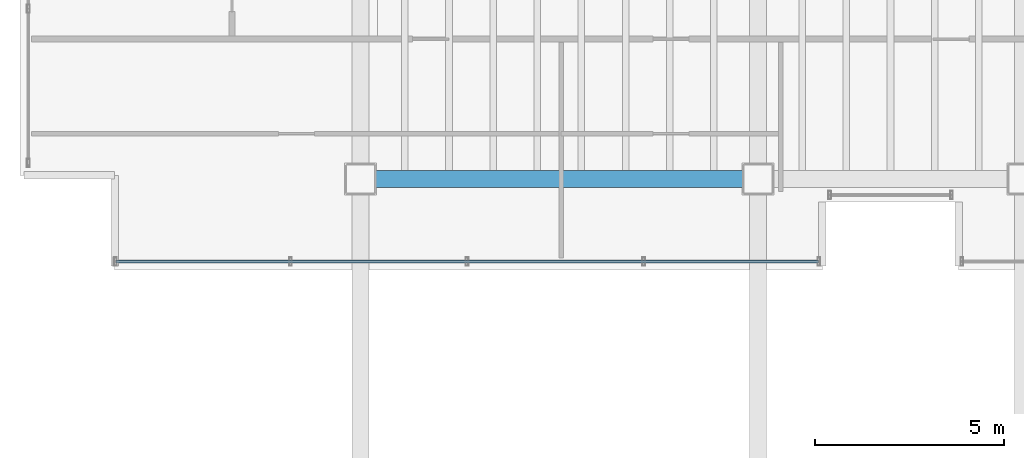
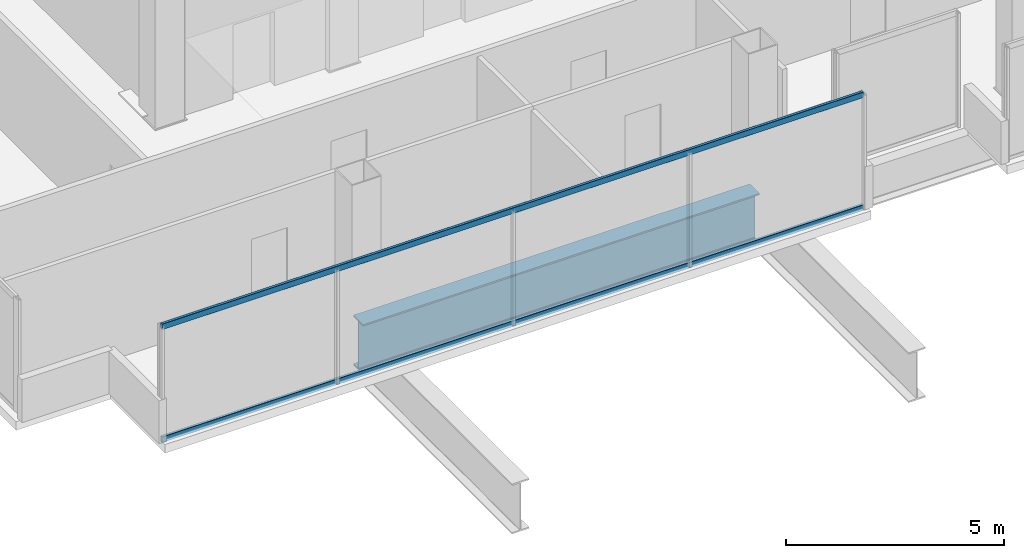
# One storey, part 3 of 19: 2 members, 1 beam, 1 element without a shape of its own.
"""IFC4 building model written with IfcOpenShell, lengths in metres."""

from ifc_helpers import new_model, si_unit, direction, frame, origin, origin_2d, place, context, subcontext, project, spatial, hollow_rectangle, i_section, extrude, material, material_profile, profile_set, type_object, element, aggregate, save


model = new_model("IFC4")

# Units and contexts
model_context = context("Model", 3, precision=1e-05, world=origin(), true_north=direction((0.0, 1.0)))
body_context = subcontext(model_context, "Body", "Model", "MODEL_VIEW")
ifc_project = project(units=[si_unit("LENGTHUNIT", "METRE"), si_unit("AREAUNIT", "SQUARE_METRE"), si_unit("VOLUMEUNIT", "CUBIC_METRE"), si_unit("PLANEANGLEUNIT", "RADIAN"), si_unit("MASSUNIT", "GRAM", prefix="KILO")], contexts=[model_context])

# Site, building, storey
site_placement = place(None, origin())
site = spatial("IfcSite", under=ifc_project, at=site_placement, CompositionType="ELEMENT")
building_placement = place(site_placement, origin())
building = spatial("IfcBuilding", under=site, at=building_placement, Name="Noeulbin Bourse Tower", CompositionType="ELEMENT")
storey_placement = place(building_placement, frame((0.0, 0.0, 257.89990234375)))
storey = spatial("IfcBuildingStorey", under=building, at=storey_placement, Name="L64", CompositionType="ELEMENT", Elevation=257.89990234375)

# Beam
ifc_material_1 = material(Name="Steel S460", Category="steel")
ifc_material_profile_1 = material_profile(ifc_material_1, i_section(OverallWidth=0.449951171875, OverallDepth=1.39990234375, WebThickness=0.02392578125, FlangeThickness=0.0400390625, FilletRadius=0.02392578125, at=origin_2d()), Name="PG-1400x450x24x40", Category="LoadBearing")
ifc_profile_set_1 = profile_set([ifc_material_profile_1], Name="Steel S460")
beam_type = type_object("IfcBeamType", Name="BM-TRF-1400", PredefinedType="USERDEFINED", material=ifc_profile_set_1)
beam_placement = place(storey_placement, frame((13.5, 20.0, -0.93994140625), z_axis=(1.0, 0.0, 0.0), x_axis=(0.0, 1.0, 0.0)))
element("IfcBeam", 1, at=beam_placement, inside=storey, type_object=beam_type, Name="Tower Primary Girder EW L64-1.1", ObjectType="GIRDER", PredefinedType="USERDEFINED", context=body_context, shape_type="SweptSolid", body=[
    extrude(i_section(OverallWidth=0.449951171875, OverallDepth=1.39990234375, WebThickness=0.02392578125, FlangeThickness=0.0400390625, FilletRadius=0.02392578125, at=origin_2d()), origin(), (0.0, 0.0, 1.0), 10.5),
])

# Curtain wall, members
ifc_material_2 = material(Name="High-Selectivity Low-Iron Glazing", Category="glass")
curtain_wall_type = type_object("IfcCurtainWallType", Name="CW-SYS-4", PredefinedType="NOTDEFINED", material=ifc_material_2)
curtain_wall_placement = place(storey_placement, origin())
curtain_wall = element("IfcCurtainWall", 2, at=curtain_wall_placement, inside=storey, type_object=curtain_wall_type, Name="Unitised Curtain Wall CW-L64-S1", PredefinedType="NOTDEFINED")
ifc_material_3 = material(Name="Anodised Aluminium 6063-T6", Category="aluminium")
ifc_material_profile_2 = material_profile(ifc_material_3, hollow_rectangle(XDim=0.074951171875, YDim=0.159912109375, WallThickness=0.0048828125, InnerFilletRadius=0.00244140625, OuterFilletRadius=0.0048828125, at=origin_2d()), Name="ALU-TRAN-75x160x5", Category="LoadBearing")
ifc_profile_set_2 = profile_set([ifc_material_profile_2], Name="Anodised Aluminium 6063-T6")
member_type = type_object("IfcMemberType", Name="CW-SYS-4-TRN", PredefinedType="USERDEFINED", material=ifc_profile_set_2)
member_1_placement = place(storey_placement, frame((7.030029296875, 17.820068359375, 0.010009765625), z_axis=(1.0, 0.0, 0.0), x_axis=(0.0, 1.0, 0.0)))
member_1 = element("IfcMember", 3, at=member_1_placement, type_object=member_type, Name="Curtain Wall Transom CW-L64-S1-T00", ObjectType="TRANSOM", PredefinedType="USERDEFINED", context=body_context, shape_type="SweptSolid", body=[
    extrude(hollow_rectangle(XDim=0.074951171875, YDim=0.159912109375, WallThickness=0.0048828125, InnerFilletRadius=0.00244140625, OuterFilletRadius=0.0048828125, at=origin_2d()), origin(), (0.0, 0.0, 1.0), 18.570068359375),
])
member_2_placement = place(storey_placement, frame((7.030029296875, 17.820068359375, 3.170166015625), z_axis=(1.0, 0.0, 0.0), x_axis=(0.0, 1.0, 0.0)))
member_2 = element("IfcMember", 4, at=member_2_placement, type_object=member_type, Name="Curtain Wall Transom CW-L64-S1-T01", ObjectType="TRANSOM", PredefinedType="USERDEFINED", context=body_context, shape_type="SweptSolid", body=[
    extrude(hollow_rectangle(XDim=0.074951171875, YDim=0.159912109375, WallThickness=0.0048828125, InnerFilletRadius=0.00244140625, OuterFilletRadius=0.0048828125, at=origin_2d()), origin(), (0.0, 0.0, 1.0), 18.570068359375),
])
aggregate(curtain_wall, [member_1, member_2])

save(model, "model.ifc")
